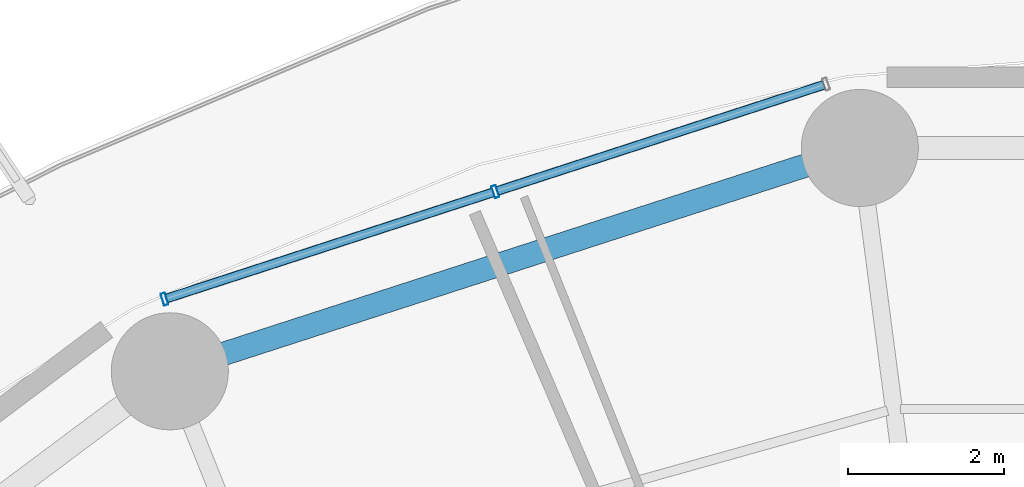
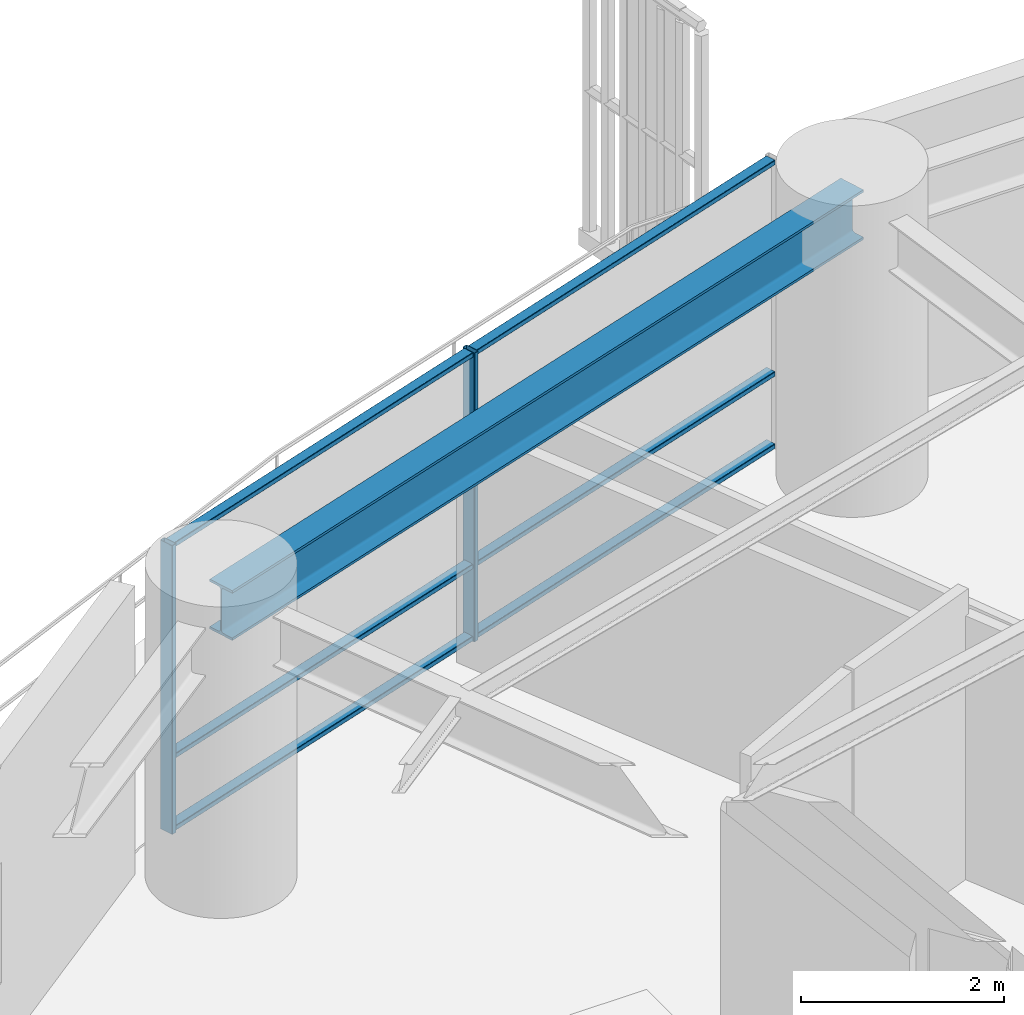
# One storey, part 17 of 32: 8 members, 1 beam, 1 element without a shape of its own.
"""IFC4 building model written with IfcOpenShell, lengths in metres."""

from ifc_helpers import new_model, si_unit, direction, frame, origin, origin_2d, place, context, subcontext, project, spatial, hollow_rectangle, i_section, extrude, material, layer, layer_set, material_profile, profile_set, type_object, element, aggregate, save


model = new_model("IFC4")

# Units and contexts
model_context = context("Model", 3, precision=1e-05, world=origin(), true_north=direction((0.0, 1.0)))
body_context = subcontext(model_context, "Body", "Model", "MODEL_VIEW")
ifc_project = project(units=[si_unit("LENGTHUNIT", "METRE"), si_unit("AREAUNIT", "SQUARE_METRE"), si_unit("VOLUMEUNIT", "CUBIC_METRE"), si_unit("PLANEANGLEUNIT", "RADIAN"), si_unit("MASSUNIT", "GRAM", prefix="KILO")], contexts=[model_context])

# Site, building, storey
site_placement = place(None, origin())
site = spatial("IfcSite", under=ifc_project, at=site_placement, CompositionType="ELEMENT")
building_placement = place(site_placement, origin())
building = spatial("IfcBuilding", under=site, at=building_placement, Name="Kelanora Arch Commons", CompositionType="ELEMENT")
storey_placement = place(building_placement, frame((0.0, 0.0, 52.5)))
storey = spatial("IfcBuildingStorey", under=building, at=storey_placement, Name="L13", CompositionType="ELEMENT", Elevation=52.5)

# Beam
ifc_material_1 = material(Name="Steel S355", Category="steel")
ifc_material_profile_1 = material_profile(ifc_material_1, i_section(OverallWidth=0.300048828125, OverallDepth=0.60009765625, WebThickness=0.015380859375, FlangeThickness=0.030029296875, FilletRadius=0.027099609375, at=origin_2d()), Name="HEB600")
ifc_profile_set_1 = profile_set([ifc_material_profile_1], Name="Steel S355")
beam_type = type_object("IfcBeamType", Name="BM-SPN-Z1", PredefinedType="SPANDREL", material=ifc_profile_set_1)
beam_placement = place(storey_placement, frame((69.297607421875, 81.714111328125, 3.18994140625), z_axis=(-0.951417120402, -0.307904957748, 0.0), x_axis=(0.307904957748, -0.951417120402, 0.0)))
element("IfcBeam", 1, at=beam_placement, inside=storey, type_object=beam_type, Name="Perimeter Spandrel Beam BS-10 L13", PredefinedType="SPANDREL", context=body_context, shape_type="SweptSolid", body=[
    extrude(i_section(OverallWidth=0.300048828125, OverallDepth=0.60009765625, WebThickness=0.015380859375, FlangeThickness=0.030029296875, FilletRadius=0.027099609375, at=origin_2d()), origin(), (0.0, 0.0, 1.0), 9.288818359375),
])

# Curtain wall, members
ifc_material_2 = material(Name="Terracotta ceramic-fritted low-E glass and aluminium", Category="masonry")
ifc_layer = layer(ifc_material_2, 0.159912109375)
ifc_layer_set = layer_set([ifc_layer], Name="Terracotta ceramic-fritted low-E glass and aluminium")
curtain_wall_type = type_object("IfcCurtainWallType", Name="CW-SYS-01", PredefinedType="NOTDEFINED", material=ifc_layer_set)
curtain_wall_placement = place(storey_placement, origin())
curtain_wall = element("IfcCurtainWall", 2, at=curtain_wall_placement, inside=storey, type_object=curtain_wall_type, Name="Unitised Curtain Wall L13-B05", PredefinedType="NOTDEFINED")
ifc_material_3 = material(Name="Powder-coated aluminium terracotta", Category="masonry")
ifc_material_profile_2 = material_profile(ifc_material_3, hollow_rectangle(XDim=0.159912109375, YDim=0.06005859375, WallThickness=0.0048828125, InnerFilletRadius=0.0048828125, OuterFilletRadius=0.010009765625, at=origin_2d()), Name="CWM160x60")
ifc_profile_set_2 = profile_set([ifc_material_profile_2], Name="Powder-coated aluminium terracotta")
member_type_1 = type_object("IfcMemberType", Name="CWM-STD", PredefinedType="MULLION", material=ifc_profile_set_2)
member_1_placement = place(storey_placement, frame((64.62890625, 81.15478515625, 0.0), z_axis=(0.0, 0.0, 1.0), x_axis=(0.30905758454, -0.951043326793, 0.0)))
member_1 = element("IfcMember", 3, at=member_1_placement, type_object=member_type_1, Name="CW-01 mullion 2", PredefinedType="MULLION", context=body_context, shape_type="SweptSolid", body=[
    extrude(hollow_rectangle(XDim=0.159912109375, YDim=0.06005859375, WallThickness=0.0048828125, InnerFilletRadius=0.0048828125, OuterFilletRadius=0.010009765625, at=origin_2d()), origin(), (0.0, 0.0, 1.0), 3.47509765625),
])
member_2_placement = place(storey_placement, frame((60.392333984375, 79.778076171875, 0.0), z_axis=(0.0, 0.0, 1.0), x_axis=(0.30905758454, -0.951043326793, 0.0)))
member_2 = element("IfcMember", 4, at=member_2_placement, type_object=member_type_1, Name="CW-01 mullion 3", PredefinedType="MULLION", context=body_context, shape_type="SweptSolid", body=[
    extrude(hollow_rectangle(XDim=0.159912109375, YDim=0.06005859375, WallThickness=0.0048828125, InnerFilletRadius=0.0048828125, OuterFilletRadius=0.010009765625, at=origin_2d()), origin(), (0.0, 0.0, 1.0), 3.47509765625),
])
ifc_material_profile_3 = material_profile(ifc_material_3, hollow_rectangle(XDim=0.1201171875, YDim=0.06005859375, WallThickness=0.0048828125, InnerFilletRadius=0.0048828125, OuterFilletRadius=0.010009765625, at=origin_2d()), Name="CWT120x60")
ifc_profile_set_3 = profile_set([ifc_material_profile_3], Name="Powder-coated aluminium terracotta")
member_type_2 = type_object("IfcMemberType", Name="CWT-STD", PredefinedType="USERDEFINED", material=ifc_profile_set_3)
member_3_placement = place(storey_placement, frame((68.8369140625, 82.5224609375, 0.030029296875), z_axis=(-0.951028761285, -0.309102402464, 0.0), x_axis=(0.309102402464, -0.951028761285, 0.0)))
member_3 = element("IfcMember", 5, at=member_3_placement, type_object=member_type_2, Name="CW-01 transom 1.1", ObjectType="TRANSOM", PredefinedType="USERDEFINED", context=body_context, shape_type="SweptSolid", body=[
    extrude(hollow_rectangle(XDim=0.1201171875, YDim=0.06005859375, WallThickness=0.0048828125, InnerFilletRadius=0.0048828125, OuterFilletRadius=0.010009765625, at=origin_2d()), origin(), (0.0, 0.0, 1.0), 4.394775390625),
])
member_4_placement = place(storey_placement, frame((68.8369140625, 82.5224609375, 0.89990234375), z_axis=(-0.951028761285, -0.309102402464, 0.0), x_axis=(0.309102402464, -0.951028761285, 0.0)))
member_4 = element("IfcMember", 6, at=member_4_placement, type_object=member_type_2, Name="CW-01 transom 1.2", ObjectType="TRANSOM", PredefinedType="USERDEFINED", context=body_context, shape_type="SweptSolid", body=[
    extrude(hollow_rectangle(XDim=0.1201171875, YDim=0.06005859375, WallThickness=0.0048828125, InnerFilletRadius=0.0048828125, OuterFilletRadius=0.010009765625, at=origin_2d()), origin(), (0.0, 0.0, 1.0), 4.394775390625),
])
member_5_placement = place(storey_placement, frame((68.8369140625, 82.5224609375, 3.445068359375), z_axis=(-0.951028761285, -0.309102402464, 0.0), x_axis=(0.309102402464, -0.951028761285, 0.0)))
member_5 = element("IfcMember", 7, at=member_5_placement, type_object=member_type_2, Name="CW-01 transom 1.3", ObjectType="TRANSOM", PredefinedType="USERDEFINED", context=body_context, shape_type="SweptSolid", body=[
    extrude(hollow_rectangle(XDim=0.1201171875, YDim=0.06005859375, WallThickness=0.0048828125, InnerFilletRadius=0.0048828125, OuterFilletRadius=0.010009765625, at=origin_2d()), origin(), (0.0, 0.0, 1.0), 4.394775390625),
])
member_6_placement = place(storey_placement, frame((64.600341796875, 81.1455078125, 0.030029296875), z_axis=(-0.951045091182, -0.309052155047, 0.0), x_axis=(0.309052155047, -0.951045091182, 0.0)))
member_6 = element("IfcMember", 8, at=member_6_placement, type_object=member_type_2, Name="CW-01 transom 2.1", ObjectType="TRANSOM", PredefinedType="USERDEFINED", context=body_context, shape_type="SweptSolid", body=[
    extrude(hollow_rectangle(XDim=0.1201171875, YDim=0.06005859375, WallThickness=0.0048828125, InnerFilletRadius=0.0048828125, OuterFilletRadius=0.010009765625, at=origin_2d()), origin(), (0.0, 0.0, 1.0), 4.39453125),
])
member_7_placement = place(storey_placement, frame((64.600341796875, 81.1455078125, 0.89990234375), z_axis=(-0.951045091182, -0.309052155047, 0.0), x_axis=(0.309052155047, -0.951045091182, 0.0)))
member_7 = element("IfcMember", 9, at=member_7_placement, type_object=member_type_2, Name="CW-01 transom 2.2", ObjectType="TRANSOM", PredefinedType="USERDEFINED", context=body_context, shape_type="SweptSolid", body=[
    extrude(hollow_rectangle(XDim=0.1201171875, YDim=0.06005859375, WallThickness=0.0048828125, InnerFilletRadius=0.0048828125, OuterFilletRadius=0.010009765625, at=origin_2d()), origin(), (0.0, 0.0, 1.0), 4.39453125),
])
member_8_placement = place(storey_placement, frame((64.600341796875, 81.1455078125, 3.445068359375), z_axis=(-0.951045091182, -0.309052155047, 0.0), x_axis=(0.309052155047, -0.951045091182, 0.0)))
member_8 = element("IfcMember", 10, at=member_8_placement, type_object=member_type_2, Name="CW-01 transom 2.3", ObjectType="TRANSOM", PredefinedType="USERDEFINED", context=body_context, shape_type="SweptSolid", body=[
    extrude(hollow_rectangle(XDim=0.1201171875, YDim=0.06005859375, WallThickness=0.0048828125, InnerFilletRadius=0.0048828125, OuterFilletRadius=0.010009765625, at=origin_2d()), origin(), (0.0, 0.0, 1.0), 4.39453125),
])
aggregate(curtain_wall, [member_1, member_2, member_3, member_4, member_5, member_6, member_7, member_8])

save(model, "model.ifc")
